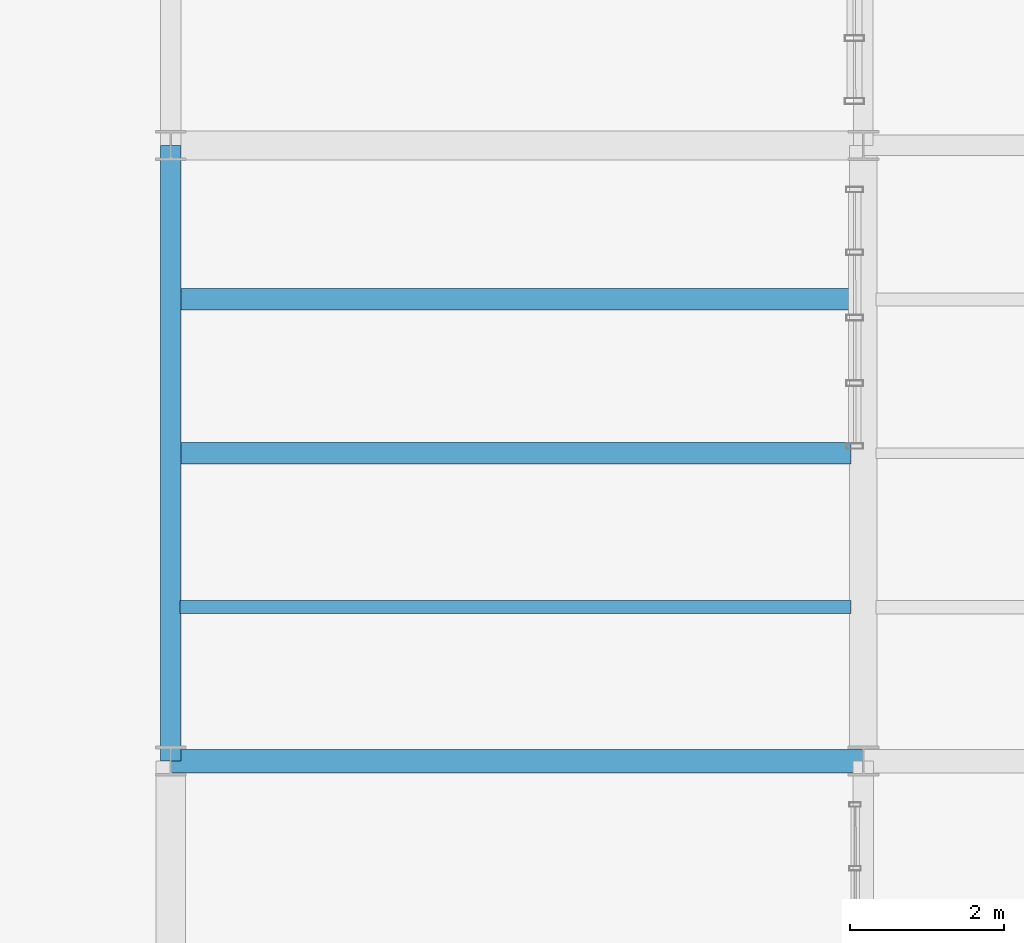
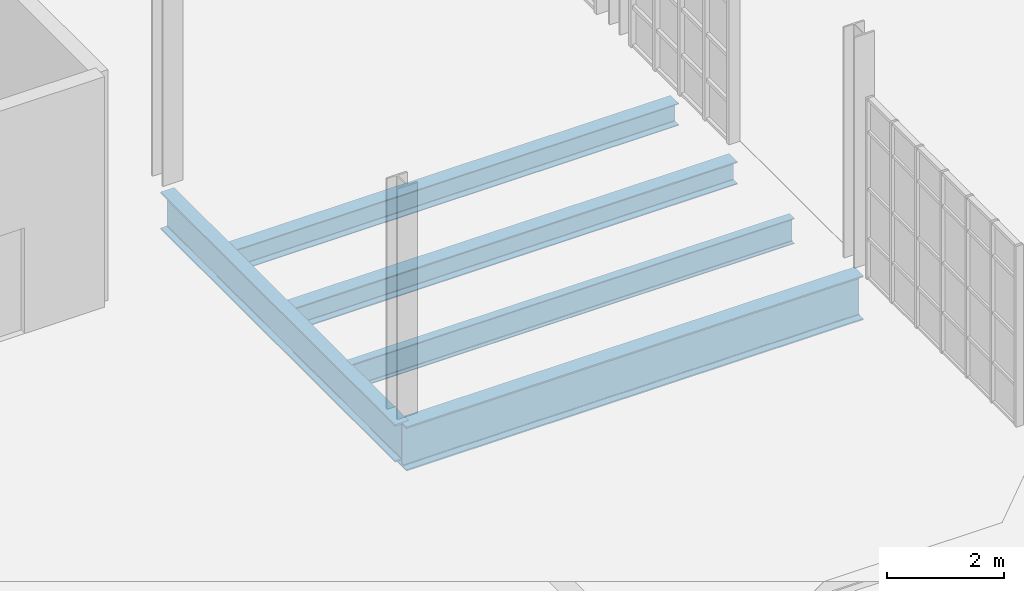
# One storey, part 48 of 85: 5 beams.
"""IFC4 building model written with IfcOpenShell, lengths in metres."""

from ifc_helpers import new_model, si_unit, direction, frame, origin, origin_2d, place, context, subcontext, project, spatial, i_section, extrude, material, material_profile, profile_set, type_object, element, save


model = new_model("IFC4")

# Units and contexts
model_context = context("Model", 3, precision=1e-05, world=origin(), true_north=direction((0.0, 1.0)))
body_context = subcontext(model_context, "Body", "Model", "MODEL_VIEW")
ifc_project = project(units=[si_unit("LENGTHUNIT", "METRE"), si_unit("AREAUNIT", "SQUARE_METRE"), si_unit("VOLUMEUNIT", "CUBIC_METRE"), si_unit("PLANEANGLEUNIT", "RADIAN"), si_unit("MASSUNIT", "GRAM", prefix="KILO"), si_unit("THERMODYNAMICTEMPERATUREUNIT", "KELVIN"), si_unit("POWERUNIT", "WATT")], contexts=[model_context])

# Site, building, storey
site_placement = place(None, origin())
site = spatial("IfcSite", under=ifc_project, at=site_placement, CompositionType="ELEMENT")
building_placement = place(site_placement, origin())
building = spatial("IfcBuilding", under=site, at=building_placement, Name="Zelmaris Science Centre", CompositionType="ELEMENT")
storey_placement = place(building_placement, frame((0.0, 0.0, 20.39990234375)))
storey = spatial("IfcBuildingStorey", under=building, at=storey_placement, Name="L04", CompositionType="ELEMENT", Elevation=20.39990234375)

# Beams
ifc_material = material(Name="Steel ASTM A992 Grade 50", Category="steel")
ifc_material_profile_1 = material_profile(ifc_material, i_section(OverallWidth=0.304931640625, OverallDepth=0.9189453125, WebThickness=0.017333984375, FlangeThickness=0.02783203125, FilletRadius=0.02392578125, at=origin_2d()), Name="W36X170")
ifc_profile_set_1 = profile_set([ifc_material_profile_1], Name="Steel ASTM A992 Grade 50")
beam_type_1 = type_object("IfcBeamType", Name="Beam G-26 W36X170", PredefinedType="BEAM", material=ifc_profile_set_1)
beam_1_placement = place(storey_placement, frame((72.0, 72.0, -0.70947265625), z_axis=(1.0, 0.0, 0.0), x_axis=(0.0, 1.0, 0.0)))
element("IfcBeam", 1, at=beam_1_placement, inside=storey, type_object=beam_type_1, Name="L04 East-west girder 852", PredefinedType="BEAM", context=body_context, shape_type="SweptSolid", body=[
    extrude(i_section(OverallWidth=0.304931640625, OverallDepth=0.9189453125, WebThickness=0.017333984375, FlangeThickness=0.02783203125, FilletRadius=0.02392578125, at=origin_2d()), origin(), (0.0, 0.0, 1.0), 9.0),
])
ifc_material_profile_2 = material_profile(ifc_material, i_section(OverallWidth=0.26708984375, OverallDepth=0.780029296875, WebThickness=0.0166015625, FlangeThickness=0.030029296875, FilletRadius=0.01904296875, at=origin_2d()), Name="W30X148")
ifc_profile_set_2 = profile_set([ifc_material_profile_2], Name="Steel ASTM A992 Grade 50")
beam_type_2 = type_object("IfcBeamType", Name="Beam G-32 W30X148", PredefinedType="BEAM", material=ifc_profile_set_2)
beam_2_placement = place(storey_placement, frame((72.0, 72.0, -0.639892578125), z_axis=(0.0, 1.0, 0.0), x_axis=(-1.0, 0.0, 0.0)))
element("IfcBeam", 2, at=beam_2_placement, inside=storey, type_object=beam_type_2, Name="L04 North-south girder 827", PredefinedType="BEAM", context=body_context, shape_type="SweptSolid", body=[
    extrude(i_section(OverallWidth=0.26708984375, OverallDepth=0.780029296875, WebThickness=0.0166015625, FlangeThickness=0.030029296875, FilletRadius=0.01904296875, at=origin_2d()), origin(), (0.0, 0.0, 1.0), 8.0),
])
ifc_material_profile_3 = material_profile(ifc_material, i_section(OverallWidth=0.16796875, OverallDepth=0.532958984375, WebThickness=0.01025390625, FlangeThickness=0.0166015625, FilletRadius=0.013916015625, at=origin_2d()), Name="W21X57")
ifc_profile_set_3 = profile_set([ifc_material_profile_3], Name="Steel ASTM A992 Grade 50")
beam_type_3 = type_object("IfcBeamType", Name="Beam J-01 W21X57", PredefinedType="JOIST", material=ifc_profile_set_3)
beam_3_placement = place(storey_placement, frame((72.118408203125, 74.0, -0.516357421875), z_axis=(1.0, 0.0, 0.0), x_axis=(0.0, 1.0, 0.0)))
element("IfcBeam", 3, at=beam_3_placement, inside=storey, type_object=beam_type_3, Name="L04 Composite floor joist 396", PredefinedType="JOIST", context=body_context, shape_type="SweptSolid", body=[
    extrude(i_section(OverallWidth=0.16796875, OverallDepth=0.532958984375, WebThickness=0.01025390625, FlangeThickness=0.0166015625, FilletRadius=0.013916015625, at=origin_2d()), origin(), (0.0, 0.0, 1.0), 8.718505859375),
])
ifc_material_profile_4 = material_profile(ifc_material, i_section(OverallWidth=0.281982421875, OverallDepth=0.471923828125, WebThickness=0.013671875, FlangeThickness=0.022216796875, FilletRadius=0.012939453125, at=origin_2d()), Name="W18X97")
ifc_profile_set_4 = profile_set([ifc_material_profile_4], Name="Steel ASTM A992 Grade 50")
beam_type_4 = type_object("IfcBeamType", Name="Beam J-02 W18X97", PredefinedType="JOIST", material=ifc_profile_set_4)
beam_4_placement = place(storey_placement, frame((72.118408203125, 76.0, -0.48583984375), z_axis=(1.0, 0.0, 0.0), x_axis=(0.0, 1.0, 0.0)))
element("IfcBeam", 4, at=beam_4_placement, inside=storey, type_object=beam_type_4, Name="L04 Composite floor joist 397", PredefinedType="JOIST", context=body_context, shape_type="SweptSolid", body=[
    extrude(i_section(OverallWidth=0.281982421875, OverallDepth=0.471923828125, WebThickness=0.013671875, FlangeThickness=0.022216796875, FilletRadius=0.012939453125, at=origin_2d()), origin(), (0.0, 0.0, 1.0), 8.718505859375),
])
ifc_material_profile_5 = material_profile(ifc_material, i_section(OverallWidth=0.279052734375, OverallDepth=0.4619140625, WebThickness=0.0107421875, FlangeThickness=0.017333984375, FilletRadius=0.012939453125, at=origin_2d()), Name="W18X76")
ifc_profile_set_5 = profile_set([ifc_material_profile_5], Name="Steel ASTM A992 Grade 50")
beam_type_5 = type_object("IfcBeamType", Name="Beam J-03 W18X76", PredefinedType="JOIST", material=ifc_profile_set_5)
beam_5_placement = place(storey_placement, frame((72.118408203125, 78.0, -0.48095703125), z_axis=(1.0, 0.0, 0.0), x_axis=(0.0, 1.0, 0.0)))
element("IfcBeam", 5, at=beam_5_placement, inside=storey, type_object=beam_type_5, Name="L04 Composite floor joist 398", PredefinedType="JOIST", context=body_context, shape_type="SweptSolid", body=[
    extrude(i_section(OverallWidth=0.279052734375, OverallDepth=0.4619140625, WebThickness=0.0107421875, FlangeThickness=0.017333984375, FilletRadius=0.012939453125, at=origin_2d()), origin(), (0.0, 0.0, 1.0), 8.718505859375),
])

save(model, "model.ifc")
